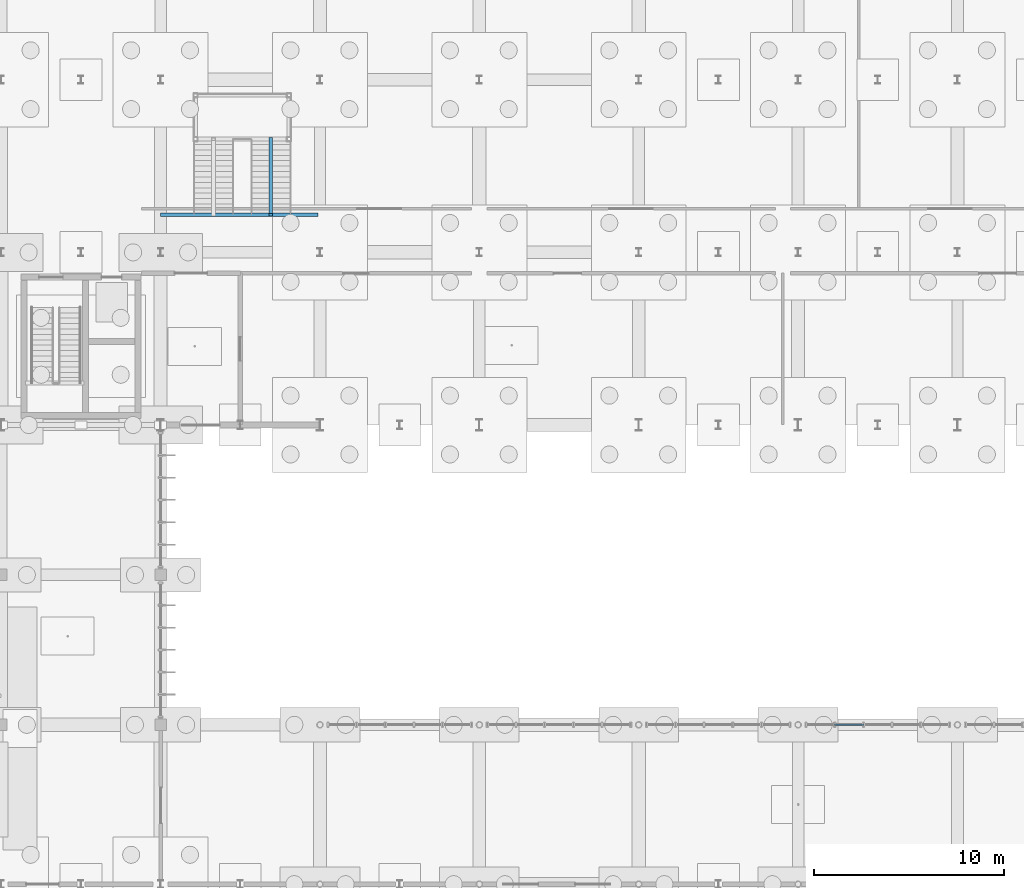
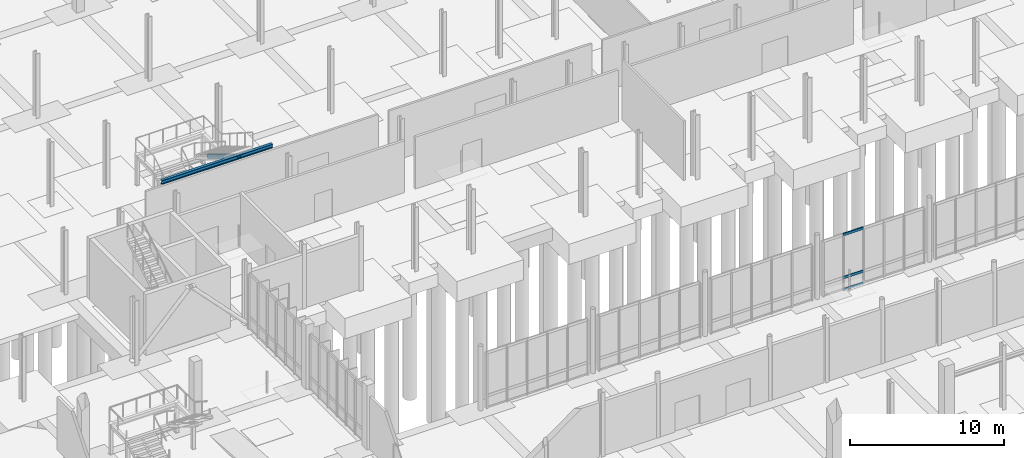
# One storey, part 45 of 119: 4 members, 1 beam, 1 element without a shape of its own.
"""IFC4 building model written with IfcOpenShell, lengths in metres."""

from ifc_helpers import new_model, si_unit, derived_unit, direction, frame, origin, origin_2d, place, context, subcontext, project, spatial, hollow_rectangle, i_section, extrude, material, layer, layer_set, material_profile, profile_set, type_object, element, aggregate, save


model = new_model("IFC4")

# Units and contexts
model_context = context("Model", 3, precision=1e-05, world=origin(), true_north=direction((0.0, 1.0)))
body_context = subcontext(model_context, "Body", "Model", "MODEL_VIEW")
ifc_project = project(units=[si_unit("LENGTHUNIT", "METRE"), si_unit("AREAUNIT", "SQUARE_METRE"), si_unit("VOLUMEUNIT", "CUBIC_METRE"), si_unit("PLANEANGLEUNIT", "RADIAN"), si_unit("MASSUNIT", "GRAM", prefix="KILO"), derived_unit("THERMALTRANSMITTANCEUNIT", [(si_unit("MASSUNIT", "GRAM", prefix="KILO"), 1), (si_unit("TIMEUNIT", "SECOND"), -3), (si_unit("THERMODYNAMICTEMPERATUREUNIT", "KELVIN"), -1)])], contexts=[model_context])

# Site, building, storey
site_placement = place(None, origin())
site = spatial("IfcSite", under=ifc_project, at=site_placement, CompositionType="ELEMENT")
building_placement = place(site_placement, origin())
building = spatial("IfcBuilding", under=site, at=building_placement, Name="Makaiwela Harbour Ferry Terminal", CompositionType="ELEMENT")
storey_placement = place(building_placement, origin())
storey = spatial("IfcBuildingStorey", under=building, at=storey_placement, Name="L00", CompositionType="ELEMENT", Elevation=0.0)

# Curtain wall, members
ifc_material_1 = material(Name="Marine anodised aluminium 6063-T6", Category="aluminium")
ifc_layer = layer(ifc_material_1, 0.199951171875)
ifc_layer_set = layer_set([ifc_layer], Name="Marine anodised aluminium 6063-T6")
curtain_wall_type = type_object("IfcCurtainWallType", Name="ENV-CW-10", PredefinedType="USERDEFINED", material=ifc_layer_set)
curtain_wall_placement = place(storey_placement, origin())
curtain_wall = element("IfcCurtainWall", 1, at=curtain_wall_placement, inside=storey, type_object=curtain_wall_type, Name="Unitised Curtain Wall CWA-146", ObjectType="UNITIZED CURTAIN WALL", PredefinedType="USERDEFINED")
ifc_material_profile_1 = material_profile(ifc_material_1, hollow_rectangle(XDim=0.0849609375, YDim=0.199951171875, WallThickness=0.0048828125, at=origin_2d()), Name="CWT-200X85")
ifc_profile_set_1 = profile_set([ifc_material_profile_1], Name="Marine anodised aluminium 6063-T6")
member_type_1 = type_object("IfcMemberType", Name="CW-TRN-200", PredefinedType="USERDEFINED", material=ifc_profile_set_1)
member_1_placement = place(storey_placement, frame((108.444091796875, 33.60009765625, 0.0), z_axis=(-1.0, 0.0, 0.0), x_axis=(0.0, -1.0, 0.0)))
member_1 = element("IfcMember", 2, at=member_1_placement, type_object=member_type_1, Name="Curtain Wall Transom CWA-146-4-1", ObjectType="TRANSOM", PredefinedType="USERDEFINED", context=body_context, shape_type="SweptSolid", body=[
    extrude(hollow_rectangle(XDim=0.0849609375, YDim=0.199951171875, WallThickness=0.0048828125, at=origin_2d()), origin(), (0.0, 0.0, 1.0), 1.51220703125),
])
member_2_placement = place(storey_placement, frame((108.444091796875, 33.60009765625, 0.949951171875), z_axis=(-1.0, 0.0, 0.0), x_axis=(0.0, -1.0, 0.0)))
member_2 = element("IfcMember", 3, at=member_2_placement, type_object=member_type_1, Name="Curtain Wall Transom CWA-146-4-2", ObjectType="TRANSOM", PredefinedType="USERDEFINED", context=body_context, shape_type="SweptSolid", body=[
    extrude(hollow_rectangle(XDim=0.0849609375, YDim=0.199951171875, WallThickness=0.0048828125, at=origin_2d()), origin(), (0.0, 0.0, 1.0), 1.51220703125),
])
member_3_placement = place(storey_placement, frame((108.444091796875, 33.60009765625, 4.35009765625), z_axis=(-1.0, 0.0, 0.0), x_axis=(0.0, -1.0, 0.0)))
member_3 = element("IfcMember", 4, at=member_3_placement, type_object=member_type_1, Name="Curtain Wall Transom CWA-146-4-3", ObjectType="TRANSOM", PredefinedType="USERDEFINED", context=body_context, shape_type="SweptSolid", body=[
    extrude(hollow_rectangle(XDim=0.0849609375, YDim=0.199951171875, WallThickness=0.0048828125, at=origin_2d()), origin(), (0.0, 0.0, 1.0), 1.51220703125),
])
aggregate(curtain_wall, [member_1, member_2, member_3])

# Beam
ifc_material_2 = material(Name="Steel ASTM A992 Grade 50", Category="steel")
ifc_material_profile_2 = material_profile(ifc_material_2, i_section(OverallWidth=0.205078125, OverallDepth=0.31005859375, WebThickness=0.009521484375, FlangeThickness=0.016357421875, at=origin_2d()), Name="W12X50")
ifc_profile_set_2 = profile_set([ifc_material_profile_2], Name="Steel ASTM A992 Grade 50")
beam_type = type_object("IfcBeamType", Name="STR-LNT-W12X50", PredefinedType="LINTEL", material=ifc_profile_set_2)
beam_placement = place(storey_placement, frame((71.39990234375, 60.47998046875, 4.659912109375), z_axis=(1.0, 0.0, 0.0), x_axis=(0.0, 1.0, 0.0)))
element("IfcBeam", 5, at=beam_placement, inside=storey, type_object=beam_type, Name="Stair Arrival Beam ST-08-L00", PredefinedType="LINTEL", context=body_context, shape_type="SweptSolid", body=[
    extrude(i_section(OverallWidth=0.205078125, OverallDepth=0.31005859375, WebThickness=0.009521484375, FlangeThickness=0.016357421875, at=origin_2d()), origin(), (0.0, 0.0, 1.0), 8.30517578125),
])

# Member
ifc_material_3 = material(Name="Steel ASTM A500 Grade C", Category="steel")
ifc_material_profile_3 = material_profile(ifc_material_3, hollow_rectangle(XDim=0.202880859375, YDim=0.304931640625, WallThickness=0.01171875, at=origin_2d()), Name="HSS12X8X1/2")
ifc_profile_set_3 = profile_set([ifc_material_profile_3], Name="Steel ASTM A500 Grade C")
member_type_2 = type_object("IfcMemberType", Name="STR-STR-HSS12X8", PredefinedType="STRINGER", material=ifc_profile_set_3)
member_4_placement = place(storey_placement, frame((77.2099609375, 64.469970703125, 2.2451171875), z_axis=(0.0, -0.855518995798, 0.517771424306), x_axis=(1.0, 0.0, 0.0)))
element("IfcMember", 6, at=member_4_placement, inside=storey, type_object=member_type_2, Name="Stair Stringer ST-08-L00-S2", PredefinedType="STRINGER", context=body_context, shape_type="SweptSolid", body=[
    extrude(hollow_rectangle(XDim=0.202880859375, YDim=0.304931640625, WallThickness=0.01171875, at=origin_2d()), origin(), (0.0, 0.0, 1.0), 4.663818359375),
])

save(model, "model.ifc")
